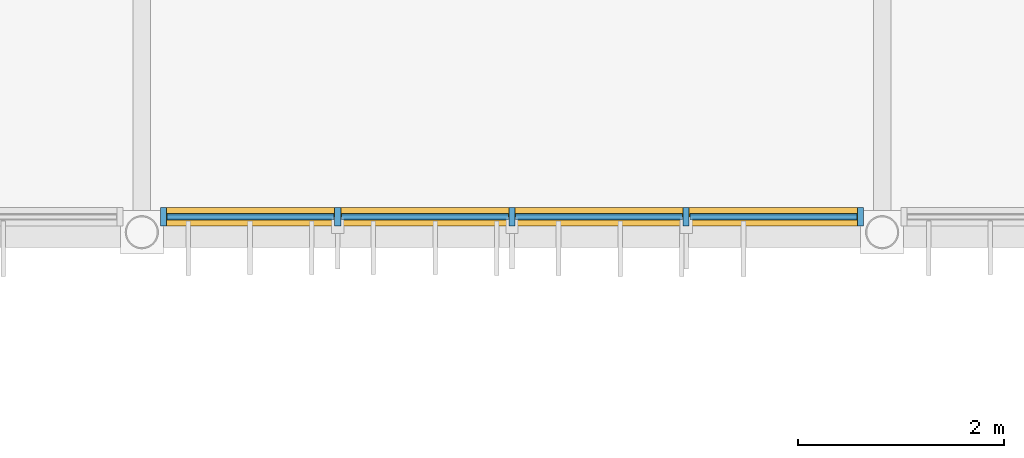
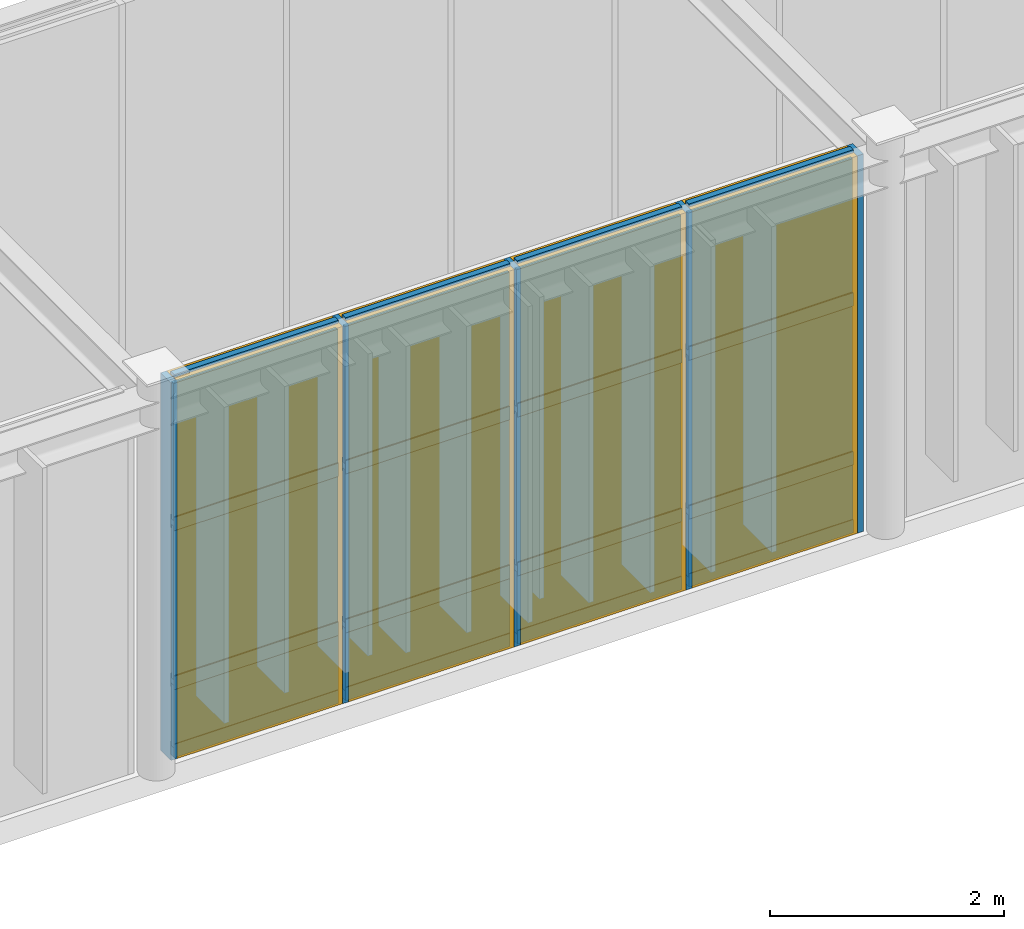
# One storey, part 71 of 104: 21 members, 12 plates, 1 curtain wall.
"""IFC4 building model written with IfcOpenShell, lengths in metres."""

from ifc_helpers import new_model, si_unit, direction, frame, frame_2d, origin, origin_2d, place, context, subcontext, project, spatial, rectangle, extrude, material, layer, layer_set, material_profile, profile_set, type_object, element, aggregate, save


model = new_model("IFC4")

# Units and contexts
model_context = context("Model", 3, precision=1e-05, world=origin(), true_north=direction((0.0, 1.0)))
body_context = subcontext(model_context, "Body", "Model", "MODEL_VIEW")
ifc_project = project(units=[si_unit("LENGTHUNIT", "METRE"), si_unit("AREAUNIT", "SQUARE_METRE"), si_unit("VOLUMEUNIT", "CUBIC_METRE"), si_unit("PLANEANGLEUNIT", "RADIAN"), si_unit("MASSUNIT", "GRAM", prefix="KILO")], contexts=[model_context])

# Member
ifc_material_1 = material(Name="Anodised Bronze Aluminium 6063-T6", Category="aluminium")
ifc_material_profile_1 = material_profile(ifc_material_1, rectangle(XDim=0.06005859375, YDim=0.179931640625, at=origin_2d()), Name="ALU MULLION 60x180")
ifc_profile_set_1 = profile_set([ifc_material_profile_1], Name="Anodised Bronze Aluminium 6063-T6")
member_type_1 = type_object("IfcMemberType", Name="Curtain-Wall Primary Mullion 60x180", PredefinedType="MULLION", material=ifc_profile_set_1)
site_placement = place(None, origin())
building_placement = place(site_placement, origin())
storey_placement = place(building_placement, frame((0.0, 0.0, 9.0)))
member_1_placement = place(storey_placement, frame((43.412109375, 44.75, 0.0), z_axis=(0.0, 0.0, 1.0), x_axis=(1.0, 0.0, 0.0)))
member_1 = element("IfcMember", 1, at=member_1_placement, type_object=member_type_1, Name="Mullion CWM-01 CW-WLNK-S-L02-B3-M01", PredefinedType="MULLION", context=body_context, shape_type="SweptSolid", body=[
    extrude(rectangle(XDim=0.06005859375, YDim=0.179931640625, at=origin_2d()), origin(), (0.0, 0.0, 1.0), 3.93994140625),
])

member_2_placement = place(storey_placement, frame((45.10595703125, 44.75, 0.0), z_axis=(0.0, 0.0, 1.0), x_axis=(1.0, 0.0, 0.0)))
member_2 = element("IfcMember", 2, at=member_2_placement, type_object=member_type_1, Name="Mullion CWM-01 CW-WLNK-S-L02-B3-M02", PredefinedType="MULLION", context=body_context, shape_type="SweptSolid", body=[
    extrude(rectangle(XDim=0.06005859375, YDim=0.179931640625, at=origin_2d()), origin(), (0.0, 0.0, 1.0), 3.93994140625),
])

member_3_placement = place(storey_placement, frame((46.800048828125, 44.75, 0.0), z_axis=(0.0, 0.0, 1.0), x_axis=(1.0, 0.0, 0.0)))
member_3 = element("IfcMember", 3, at=member_3_placement, type_object=member_type_1, Name="Mullion CWM-01 CW-WLNK-S-L02-B3-M03", PredefinedType="MULLION", context=body_context, shape_type="SweptSolid", body=[
    extrude(rectangle(XDim=0.06005859375, YDim=0.179931640625, at=origin_2d()), origin(), (0.0, 0.0, 1.0), 3.93994140625),
])

member_4_placement = place(storey_placement, frame((48.493896484375, 44.75, 0.0), z_axis=(0.0, 0.0, 1.0), x_axis=(1.0, 0.0, 0.0)))
member_4 = element("IfcMember", 4, at=member_4_placement, type_object=member_type_1, Name="Mullion CWM-01 CW-WLNK-S-L02-B3-M04", PredefinedType="MULLION", context=body_context, shape_type="SweptSolid", body=[
    extrude(rectangle(XDim=0.06005859375, YDim=0.179931640625, at=origin_2d()), origin(), (0.0, 0.0, 1.0), 3.93994140625),
])

member_5_placement = place(storey_placement, frame((50.18798828125, 44.75, 0.0), z_axis=(0.0, 0.0, 1.0), x_axis=(1.0, 0.0, 0.0)))
member_5 = element("IfcMember", 5, at=member_5_placement, type_object=member_type_1, Name="Mullion CWM-01 CW-WLNK-S-L02-B3-M05", PredefinedType="MULLION", context=body_context, shape_type="SweptSolid", body=[
    extrude(rectangle(XDim=0.06005859375, YDim=0.179931640625, at=origin_2d()), origin(), (0.0, 0.0, 1.0), 3.93994140625),
])

ifc_material_profile_2 = material_profile(ifc_material_1, rectangle(XDim=0.06005859375, YDim=0.139892578125, at=origin_2d()), Name="ALU TRANSOM 60x140")
ifc_profile_set_2 = profile_set([ifc_material_profile_2], Name="Anodised Bronze Aluminium 6063-T6")
member_type_2 = type_object("IfcMemberType", Name="Curtain-Wall Transom 60x140", PredefinedType="USERDEFINED", material=ifc_profile_set_2)
member_6_placement = place(storey_placement, frame((43.447021484375, 44.75, 0.0400390625), z_axis=(1.0, 0.0, 0.0), x_axis=(0.0, 1.0, 0.0)))
member_6 = element("IfcMember", 6, at=member_6_placement, type_object=member_type_2, Name="Transom CWT-01 CW-WLNK-S-L02-B3-T01.1", ObjectType="TRANSOM", PredefinedType="USERDEFINED", context=body_context, shape_type="SweptSolid", body=[
    extrude(rectangle(XDim=0.06005859375, YDim=0.139892578125, at=origin_2d()), origin(), (0.0, 0.0, 1.0), 1.6240234375),
])

member_7_placement = place(storey_placement, frame((43.447021484375, 44.75, 0.75), z_axis=(1.0, 0.0, 0.0), x_axis=(0.0, 1.0, 0.0)))
member_7 = element("IfcMember", 7, at=member_7_placement, type_object=member_type_2, Name="Transom CWT-01 CW-WLNK-S-L02-B3-T01.2", ObjectType="TRANSOM", PredefinedType="USERDEFINED", context=body_context, shape_type="SweptSolid", body=[
    extrude(rectangle(XDim=0.06005859375, YDim=0.139892578125, at=origin_2d()), origin(), (0.0, 0.0, 1.0), 1.6240234375),
])

member_8_placement = place(storey_placement, frame((43.447021484375, 44.75, 2.40869140625), z_axis=(1.0, 0.0, 0.0), x_axis=(0.0, 1.0, 0.0)))
member_8 = element("IfcMember", 8, at=member_8_placement, type_object=member_type_2, Name="Transom CWT-01 CW-WLNK-S-L02-B3-T01.3", ObjectType="TRANSOM", PredefinedType="USERDEFINED", context=body_context, shape_type="SweptSolid", body=[
    extrude(rectangle(XDim=0.06005859375, YDim=0.139892578125, at=origin_2d()), origin(), (0.0, 0.0, 1.0), 1.6240234375),
])

member_9_placement = place(storey_placement, frame((43.447021484375, 44.75, 3.89990234375), z_axis=(1.0, 0.0, 0.0), x_axis=(0.0, 1.0, 0.0)))
member_9 = element("IfcMember", 9, at=member_9_placement, type_object=member_type_2, Name="Transom CWT-01 CW-WLNK-S-L02-B3-T01.4", ObjectType="TRANSOM", PredefinedType="USERDEFINED", context=body_context, shape_type="SweptSolid", body=[
    extrude(rectangle(XDim=0.06005859375, YDim=0.139892578125, at=origin_2d()), origin(), (0.0, 0.0, 1.0), 1.6240234375),
])

member_10_placement = place(storey_placement, frame((45.14111328125, 44.75, 0.0400390625), z_axis=(1.0, 0.0, 0.0), x_axis=(0.0, 1.0, 0.0)))
member_10 = element("IfcMember", 10, at=member_10_placement, type_object=member_type_2, Name="Transom CWT-01 CW-WLNK-S-L02-B3-T02.1", ObjectType="TRANSOM", PredefinedType="USERDEFINED", context=body_context, shape_type="SweptSolid", body=[
    extrude(rectangle(XDim=0.06005859375, YDim=0.139892578125, at=origin_2d()), origin(), (0.0, 0.0, 1.0), 1.623779296875),
])

member_11_placement = place(storey_placement, frame((45.14111328125, 44.75, 0.75), z_axis=(1.0, 0.0, 0.0), x_axis=(0.0, 1.0, 0.0)))
member_11 = element("IfcMember", 11, at=member_11_placement, type_object=member_type_2, Name="Transom CWT-01 CW-WLNK-S-L02-B3-T02.2", ObjectType="TRANSOM", PredefinedType="USERDEFINED", context=body_context, shape_type="SweptSolid", body=[
    extrude(rectangle(XDim=0.06005859375, YDim=0.139892578125, at=origin_2d()), origin(), (0.0, 0.0, 1.0), 1.623779296875),
])

member_12_placement = place(storey_placement, frame((45.14111328125, 44.75, 2.40869140625), z_axis=(1.0, 0.0, 0.0), x_axis=(0.0, 1.0, 0.0)))
member_12 = element("IfcMember", 12, at=member_12_placement, type_object=member_type_2, Name="Transom CWT-01 CW-WLNK-S-L02-B3-T02.3", ObjectType="TRANSOM", PredefinedType="USERDEFINED", context=body_context, shape_type="SweptSolid", body=[
    extrude(rectangle(XDim=0.06005859375, YDim=0.139892578125, at=origin_2d()), origin(), (0.0, 0.0, 1.0), 1.623779296875),
])

member_13_placement = place(storey_placement, frame((45.14111328125, 44.75, 3.89990234375), z_axis=(1.0, 0.0, 0.0), x_axis=(0.0, 1.0, 0.0)))
member_13 = element("IfcMember", 13, at=member_13_placement, type_object=member_type_2, Name="Transom CWT-01 CW-WLNK-S-L02-B3-T02.4", ObjectType="TRANSOM", PredefinedType="USERDEFINED", context=body_context, shape_type="SweptSolid", body=[
    extrude(rectangle(XDim=0.06005859375, YDim=0.139892578125, at=origin_2d()), origin(), (0.0, 0.0, 1.0), 1.623779296875),
])

member_14_placement = place(storey_placement, frame((46.8349609375, 44.75, 0.0400390625), z_axis=(1.0, 0.0, 0.0), x_axis=(0.0, 1.0, 0.0)))
member_14 = element("IfcMember", 14, at=member_14_placement, type_object=member_type_2, Name="Transom CWT-01 CW-WLNK-S-L02-B3-T03.1", ObjectType="TRANSOM", PredefinedType="USERDEFINED", context=body_context, shape_type="SweptSolid", body=[
    extrude(rectangle(XDim=0.06005859375, YDim=0.139892578125, at=origin_2d()), origin(), (0.0, 0.0, 1.0), 1.6240234375),
])

member_15_placement = place(storey_placement, frame((46.8349609375, 44.75, 0.75), z_axis=(1.0, 0.0, 0.0), x_axis=(0.0, 1.0, 0.0)))
member_15 = element("IfcMember", 15, at=member_15_placement, type_object=member_type_2, Name="Transom CWT-01 CW-WLNK-S-L02-B3-T03.2", ObjectType="TRANSOM", PredefinedType="USERDEFINED", context=body_context, shape_type="SweptSolid", body=[
    extrude(rectangle(XDim=0.06005859375, YDim=0.139892578125, at=origin_2d()), origin(), (0.0, 0.0, 1.0), 1.6240234375),
])

member_16_placement = place(storey_placement, frame((46.8349609375, 44.75, 2.40869140625), z_axis=(1.0, 0.0, 0.0), x_axis=(0.0, 1.0, 0.0)))
member_16 = element("IfcMember", 16, at=member_16_placement, type_object=member_type_2, Name="Transom CWT-01 CW-WLNK-S-L02-B3-T03.3", ObjectType="TRANSOM", PredefinedType="USERDEFINED", context=body_context, shape_type="SweptSolid", body=[
    extrude(rectangle(XDim=0.06005859375, YDim=0.139892578125, at=origin_2d()), origin(), (0.0, 0.0, 1.0), 1.6240234375),
])

member_17_placement = place(storey_placement, frame((46.8349609375, 44.75, 3.89990234375), z_axis=(1.0, 0.0, 0.0), x_axis=(0.0, 1.0, 0.0)))
member_17 = element("IfcMember", 17, at=member_17_placement, type_object=member_type_2, Name="Transom CWT-01 CW-WLNK-S-L02-B3-T03.4", ObjectType="TRANSOM", PredefinedType="USERDEFINED", context=body_context, shape_type="SweptSolid", body=[
    extrude(rectangle(XDim=0.06005859375, YDim=0.139892578125, at=origin_2d()), origin(), (0.0, 0.0, 1.0), 1.6240234375),
])

member_18_placement = place(storey_placement, frame((48.529052734375, 44.75, 0.0400390625), z_axis=(1.0, 0.0, 0.0), x_axis=(0.0, 1.0, 0.0)))
member_18 = element("IfcMember", 18, at=member_18_placement, type_object=member_type_2, Name="Transom CWT-01 CW-WLNK-S-L02-B3-T04.1", ObjectType="TRANSOM", PredefinedType="USERDEFINED", context=body_context, shape_type="SweptSolid", body=[
    extrude(rectangle(XDim=0.06005859375, YDim=0.139892578125, at=origin_2d()), origin(), (0.0, 0.0, 1.0), 1.6240234375),
])

member_19_placement = place(storey_placement, frame((48.529052734375, 44.75, 0.75), z_axis=(1.0, 0.0, 0.0), x_axis=(0.0, 1.0, 0.0)))
member_19 = element("IfcMember", 19, at=member_19_placement, type_object=member_type_2, Name="Transom CWT-01 CW-WLNK-S-L02-B3-T04.2", ObjectType="TRANSOM", PredefinedType="USERDEFINED", context=body_context, shape_type="SweptSolid", body=[
    extrude(rectangle(XDim=0.06005859375, YDim=0.139892578125, at=origin_2d()), origin(), (0.0, 0.0, 1.0), 1.6240234375),
])

member_20_placement = place(storey_placement, frame((48.529052734375, 44.75, 2.40869140625), z_axis=(1.0, 0.0, 0.0), x_axis=(0.0, 1.0, 0.0)))
member_20 = element("IfcMember", 20, at=member_20_placement, type_object=member_type_2, Name="Transom CWT-01 CW-WLNK-S-L02-B3-T04.3", ObjectType="TRANSOM", PredefinedType="USERDEFINED", context=body_context, shape_type="SweptSolid", body=[
    extrude(rectangle(XDim=0.06005859375, YDim=0.139892578125, at=origin_2d()), origin(), (0.0, 0.0, 1.0), 1.6240234375),
])

member_21_placement = place(storey_placement, frame((48.529052734375, 44.75, 3.89990234375), z_axis=(1.0, 0.0, 0.0), x_axis=(0.0, 1.0, 0.0)))
member_21 = element("IfcMember", 21, at=member_21_placement, type_object=member_type_2, Name="Transom CWT-01 CW-WLNK-S-L02-B3-T04.4", ObjectType="TRANSOM", PredefinedType="USERDEFINED", context=body_context, shape_type="SweptSolid", body=[
    extrude(rectangle(XDim=0.06005859375, YDim=0.139892578125, at=origin_2d()), origin(), (0.0, 0.0, 1.0), 1.6240234375),
])

# Plate
ifc_material_2 = material(Name="Insulated Bronze Aluminium Spandrel Panel", Category="aluminium")
ifc_layer_1 = layer(ifc_material_2, 0.050048828125, Name="Insulated Bronze Aluminium Spandrel Panel")
ifc_layer_set_1 = layer_set([ifc_layer_1], Name="Insulated Bronze Aluminium Spandrel Panel")
plate_type_1 = type_object("IfcPlateType", Name="Insulated Anodised Aluminium Spandrel Cassette 50", PredefinedType="CURTAIN_PANEL", material=ifc_layer_set_1)
plate_1_placement = place(storey_placement, frame((44.259033203125, 44.75, 0.070068359375), z_axis=(0.0, 0.0, 1.0), x_axis=(1.0, 0.0, 0.0)))
plate_1 = element("IfcPlate", 22, at=plate_1_placement, type_object=plate_type_1, Name="Curtain Panel CWP-03 CW-WLNK-S-L02-B3-P01.1", PredefinedType="CURTAIN_PANEL", context=body_context, shape_type="SweptSolid", body=[
    extrude(rectangle(XDim=1.6240234375, YDim=0.050048828125, at=origin_2d()), origin(), (0.0, 0.0, 1.0), 0.64990234375),
])

plate_2_placement = place(storey_placement, frame((45.952880859375, 44.75, 0.070068359375), z_axis=(0.0, 0.0, 1.0), x_axis=(1.0, 0.0, 0.0)))
plate_2 = element("IfcPlate", 23, at=plate_2_placement, type_object=plate_type_1, Name="Curtain Panel CWP-03 CW-WLNK-S-L02-B3-P02.1", PredefinedType="CURTAIN_PANEL", context=body_context, shape_type="SweptSolid", body=[
    extrude(rectangle(XDim=1.6240234375, YDim=0.050048828125, at=origin_2d()), origin(), (0.0, 0.0, 1.0), 0.64990234375),
])

plate_3_placement = place(storey_placement, frame((47.64697265625, 44.75, 0.070068359375), z_axis=(0.0, 0.0, 1.0), x_axis=(1.0, 0.0, 0.0)))
plate_3 = element("IfcPlate", 24, at=plate_3_placement, type_object=plate_type_1, Name="Curtain Panel CWP-03 CW-WLNK-S-L02-B3-P03.1", PredefinedType="CURTAIN_PANEL", context=body_context, shape_type="SweptSolid", body=[
    extrude(rectangle(XDim=1.6240234375, YDim=0.050048828125, at=origin_2d()), origin(), (0.0, 0.0, 1.0), 0.64990234375),
])

plate_4_placement = place(storey_placement, frame((49.341064453125, 44.75, 0.070068359375), z_axis=(0.0, 0.0, 1.0), x_axis=(1.0, 0.0, 0.0)))
plate_4 = element("IfcPlate", 25, at=plate_4_placement, type_object=plate_type_1, Name="Curtain Panel CWP-03 CW-WLNK-S-L02-B3-P04.1", PredefinedType="CURTAIN_PANEL", context=body_context, shape_type="SweptSolid", body=[
    extrude(rectangle(XDim=1.6240234375, YDim=0.050048828125, at=origin_2d()), origin(), (0.0, 0.0, 1.0), 0.64990234375),
])

ifc_material_3 = material(Name="Solar-Control Tempered Double Glazing", Category="glass")
ifc_layer_2 = layer(ifc_material_3, 0.0380859375, Name="Solar-Control Tempered Double Glazing")
ifc_layer_set_2 = layer_set([ifc_layer_2], Name="Solar-Control Tempered Double Glazing")
plate_type_2 = type_object("IfcPlateType", Name="Solar-Control Vision Glazing Unit 38", PredefinedType="CURTAIN_PANEL", material=ifc_layer_set_2)
plate_5_placement = place(storey_placement, frame((44.259033203125, 44.75, 0.77978515625), z_axis=(0.0, 0.0, 1.0), x_axis=(1.0, 0.0, 0.0)))
plate_5 = element("IfcPlate", 26, at=plate_5_placement, type_object=plate_type_2, Name="Curtain Panel CWP-02 CW-WLNK-S-L02-B3-P01.2", PredefinedType="CURTAIN_PANEL", context=body_context, shape_type="SweptSolid", body=[
    extrude(rectangle(XDim=1.6240234375, YDim=0.0380859375, at=origin_2d()), origin(), (0.0, 0.0, 1.0), 1.598876953125),
])

plate_6_placement = place(storey_placement, frame((44.259033203125, 44.75, 2.438720703125), z_axis=(0.0, 0.0, 1.0), x_axis=(1.0, 0.0, 0.0)))
plate_6 = element("IfcPlate", 27, at=plate_6_placement, type_object=plate_type_2, Name="Curtain Panel CWP-02 CW-WLNK-S-L02-B3-P01.3", PredefinedType="CURTAIN_PANEL", context=body_context, shape_type="SweptSolid", body=[
    extrude(rectangle(XDim=1.6240234375, YDim=0.0380859375, at=origin_2d()), origin(), (0.0, 0.0, 1.0), 1.43115234375),
])

plate_7_placement = place(storey_placement, frame((45.952880859375, 44.75, 0.77978515625), z_axis=(0.0, 0.0, 1.0), x_axis=(1.0, 0.0, 0.0)))
plate_7 = element("IfcPlate", 28, at=plate_7_placement, type_object=plate_type_2, Name="Curtain Panel CWP-02 CW-WLNK-S-L02-B3-P02.2", PredefinedType="CURTAIN_PANEL", context=body_context, shape_type="SweptSolid", body=[
    extrude(rectangle(XDim=1.6240234375, YDim=0.0380859375, at=origin_2d()), origin(), (0.0, 0.0, 1.0), 1.598876953125),
])

plate_8_placement = place(storey_placement, frame((45.952880859375, 44.75, 2.438720703125), z_axis=(0.0, 0.0, 1.0), x_axis=(1.0, 0.0, 0.0)))
plate_8 = element("IfcPlate", 29, at=plate_8_placement, type_object=plate_type_2, Name="Curtain Panel CWP-02 CW-WLNK-S-L02-B3-P02.3", PredefinedType="CURTAIN_PANEL", context=body_context, shape_type="SweptSolid", body=[
    extrude(rectangle(XDim=1.6240234375, YDim=0.0380859375, at=origin_2d()), origin(), (0.0, 0.0, 1.0), 1.43115234375),
])

plate_9_placement = place(storey_placement, frame((47.64697265625, 44.75, 0.77978515625), z_axis=(0.0, 0.0, 1.0), x_axis=(1.0, 0.0, 0.0)))
plate_9 = element("IfcPlate", 30, at=plate_9_placement, type_object=plate_type_2, Name="Curtain Panel CWP-02 CW-WLNK-S-L02-B3-P03.2", PredefinedType="CURTAIN_PANEL", context=body_context, shape_type="SweptSolid", body=[
    extrude(rectangle(XDim=1.6240234375, YDim=0.0380859375, at=origin_2d()), origin(), (0.0, 0.0, 1.0), 1.598876953125),
])

plate_10_placement = place(storey_placement, frame((47.64697265625, 44.75, 2.438720703125), z_axis=(0.0, 0.0, 1.0), x_axis=(1.0, 0.0, 0.0)))
plate_10 = element("IfcPlate", 31, at=plate_10_placement, type_object=plate_type_2, Name="Curtain Panel CWP-02 CW-WLNK-S-L02-B3-P03.3", PredefinedType="CURTAIN_PANEL", context=body_context, shape_type="SweptSolid", body=[
    extrude(rectangle(XDim=1.6240234375, YDim=0.0380859375, at=origin_2d()), origin(), (0.0, 0.0, 1.0), 1.43115234375),
])

plate_11_placement = place(storey_placement, frame((49.341064453125, 44.75, 0.77978515625), z_axis=(0.0, 0.0, 1.0), x_axis=(1.0, 0.0, 0.0)))
plate_11 = element("IfcPlate", 32, at=plate_11_placement, type_object=plate_type_2, Name="Curtain Panel CWP-02 CW-WLNK-S-L02-B3-P04.2", PredefinedType="CURTAIN_PANEL", context=body_context, shape_type="SweptSolid", body=[
    extrude(rectangle(XDim=1.6240234375, YDim=0.0380859375, at=origin_2d()), origin(), (0.0, 0.0, 1.0), 1.598876953125),
])

plate_12_placement = place(storey_placement, frame((49.341064453125, 44.75, 2.438720703125), z_axis=(0.0, 0.0, 1.0), x_axis=(1.0, 0.0, 0.0)))
plate_12 = element("IfcPlate", 33, at=plate_12_placement, type_object=plate_type_2, Name="Curtain Panel CWP-02 CW-WLNK-S-L02-B3-P04.3", PredefinedType="CURTAIN_PANEL", context=body_context, shape_type="SweptSolid", body=[
    extrude(rectangle(XDim=1.6240234375, YDim=0.0380859375, at=origin_2d()), origin(), (0.0, 0.0, 1.0), 1.43115234375),
])

# Site, building, storey
site = spatial("IfcSite", under=ifc_project, at=site_placement, CompositionType="ELEMENT")
building = spatial("IfcBuilding", under=site, at=building_placement, Name="Tazoul Stagehouse", CompositionType="ELEMENT")
storey = spatial("IfcBuildingStorey", under=building, at=storey_placement, Name="L02", CompositionType="ELEMENT", Elevation=9.0)

# Curtain wall
curtain_wall_type = type_object("IfcCurtainWallType", Name="Foyer Clear Solar-Control Curtain Wall", PredefinedType="NOTDEFINED", material=ifc_material_1)
curtain_wall_placement = place(storey_placement, frame((43.412109375, 44.75, 0.0), z_axis=(0.0, 0.0, 1.0), x_axis=(1.0, 0.0, 0.0)))
curtain_wall = element("IfcCurtainWall", 34, at=curtain_wall_placement, inside=storey, type_object=curtain_wall_type, Name="L02 Curtain Wall CW-02 (CW-WLNK-S-L02-B3)", PredefinedType="NOTDEFINED", context=body_context, shape_type="SweptSolid", body=[
    extrude(rectangle(XDim=6.77587890625, YDim=0.179931640625, at=frame_2d((3.387939453125, 0.0))), origin(), (0.0, 0.0, 1.0), 3.93994140625),
])

aggregate(curtain_wall, [member_1, member_2, member_3, member_4, member_5, member_6, member_7, member_8, member_9, plate_1, plate_5, plate_6, member_10, member_11, member_12, member_13, plate_2, plate_7, plate_8, member_14, member_15, member_16, member_17, plate_3, plate_9, plate_10, member_18, member_19, member_20, member_21, plate_4, plate_11, plate_12])

save(model, "model.ifc")
